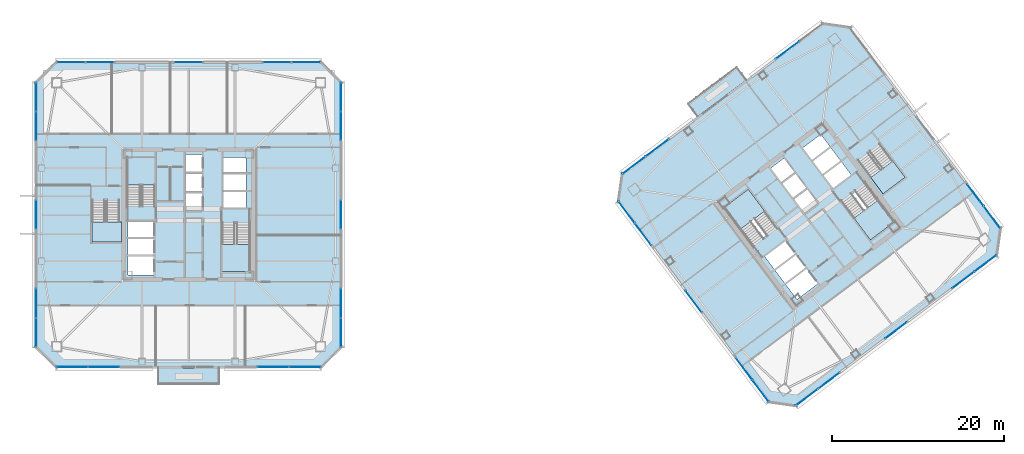
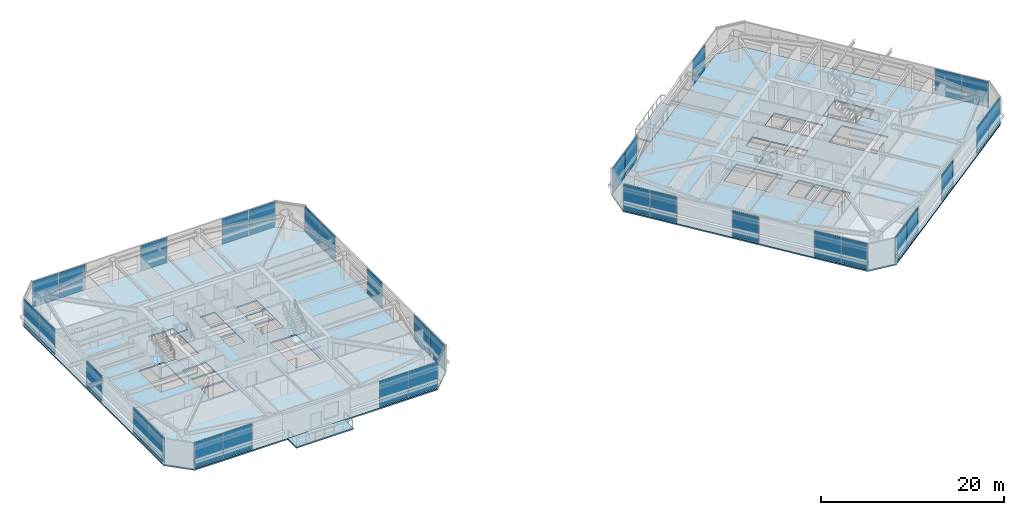
# One storey, part 32 of 44: 34 plates, 10 slabs, 26 elements without a shape of their own.
"""IFC4 building model written with IfcOpenShell, lengths in metres."""

from ifc_helpers import new_model, si_unit, direction, frame, origin, origin_2d, place, context, subcontext, project, spatial, polyline, rectangle, outline, extrude, material, layer, layer_set, type_object, element, aggregate, save


model = new_model("IFC4")

# Units and contexts
model_context = context("Model", 3, precision=1e-05, world=origin(), true_north=direction((0.0, 1.0)))
body_context = subcontext(model_context, "Body", "Model", "MODEL_VIEW")
ifc_project = project(units=[si_unit("LENGTHUNIT", "METRE"), si_unit("AREAUNIT", "SQUARE_METRE"), si_unit("VOLUMEUNIT", "CUBIC_METRE"), si_unit("PLANEANGLEUNIT", "RADIAN"), si_unit("MASSUNIT", "GRAM", prefix="KILO")], contexts=[model_context])

# Site, building, storey
site_placement = place(None, origin())
site = spatial("IfcSite", under=ifc_project, at=site_placement, CompositionType="ELEMENT")
building_placement = place(site_placement, origin())
building = spatial("IfcBuilding", under=site, at=building_placement, Name="Tashvorn Skyway Center", CompositionType="ELEMENT")
storey_placement = place(building_placement, frame((0.0, 0.0, 181.85009765625)))
storey = spatial("IfcBuildingStorey", under=building, at=storey_placement, Name="L49", CompositionType="ELEMENT", Elevation=181.85009765625)

# Curtain wall, plates
ifc_material_1 = material(Name="Thermally broken bronze-anodized aluminium 6063-T6", Category="aluminium")
curtain_wall_type = type_object("IfcCurtainWallType", Name="CW-CW-Z4", PredefinedType="NOTDEFINED", material=ifc_material_1)
curtain_wall_1_placement = place(storey_placement, origin())
curtain_wall_1 = element("IfcCurtainWall", 1, at=curtain_wall_1_placement, inside=storey, type_object=curtain_wall_type, Name="Tower 1 L49 South Curtain Wall L Glazing Group 1", PredefinedType="NOTDEFINED")
ifc_material_2 = material(Name="Low-E solar-control double insulating safety glass", Category="glass")
ifc_layer_1 = layer(ifc_material_2, 0.035888671875)
ifc_layer_set_1 = layer_set([ifc_layer_1], Name="Low-E solar-control double insulating safety glass")
plate_type = type_object("IfcPlateType", Name="CWP-CW-Z4", PredefinedType="CURTAIN_PANEL", material=ifc_layer_set_1)
plate_1_placement = place(storey_placement, frame((55.507568359375, 14.320068359375, 0.06982421875), z_axis=(0.0, 0.0, 1.0), x_axis=(-1.0, 0.0, 0.0)))
plate_1 = element("IfcPlate", 2, at=plate_1_placement, type_object=plate_type, Name="CW-Z4 panel 1.1", PredefinedType="CURTAIN_PANEL", context=body_context, shape_type="SweptSolid", body=[
    extrude(rectangle(XDim=3.60498046875, YDim=0.035888671875, at=origin_2d()), origin(), (0.0, 0.0, 1.0), 3.409912109375),
])
plate_2_placement = place(storey_placement, frame((51.83251953125, 14.320068359375, 0.06982421875), z_axis=(0.0, 0.0, 1.0), x_axis=(-1.0, 0.0, 0.0)))
plate_2 = element("IfcPlate", 3, at=plate_2_placement, type_object=plate_type, Name="CW-Z4 panel 2.1", PredefinedType="CURTAIN_PANEL", context=body_context, shape_type="SweptSolid", body=[
    extrude(rectangle(XDim=3.60498046875, YDim=0.035888671875, at=origin_2d()), origin(), (0.0, 0.0, 1.0), 3.409912109375),
])
aggregate(curtain_wall_1, [plate_1, plate_2])

curtain_wall_2_placement = place(storey_placement, origin())
curtain_wall_2 = element("IfcCurtainWall", 4, at=curtain_wall_2_placement, inside=storey, type_object=curtain_wall_type, Name="Tower 1 L49 South Curtain Wall R Glazing Group 1", PredefinedType="NOTDEFINED")
plate_3_placement = place(storey_placement, frame((32.16748046875, 14.320068359375, 0.06982421875), z_axis=(0.0, 0.0, 1.0), x_axis=(-1.0, 0.0, 0.0)))
plate_3 = element("IfcPlate", 5, at=plate_3_placement, type_object=plate_type, Name="CW-Z4 panel 1.1", PredefinedType="CURTAIN_PANEL", context=body_context, shape_type="SweptSolid", body=[
    extrude(rectangle(XDim=3.60498046875, YDim=0.035888671875, at=origin_2d()), origin(), (0.0, 0.0, 1.0), 3.409912109375),
])
plate_4_placement = place(storey_placement, frame((28.492431640625, 14.320068359375, 0.06982421875), z_axis=(0.0, 0.0, 1.0), x_axis=(-1.0, 0.0, 0.0)))
plate_4 = element("IfcPlate", 6, at=plate_4_placement, type_object=plate_type, Name="CW-Z4 panel 2.1", PredefinedType="CURTAIN_PANEL", context=body_context, shape_type="SweptSolid", body=[
    extrude(rectangle(XDim=3.60498046875, YDim=0.035888671875, at=origin_2d()), origin(), (0.0, 0.0, 1.0), 3.409912109375),
])
aggregate(curtain_wall_2, [plate_3, plate_4])

curtain_wall_3_placement = place(storey_placement, origin())
curtain_wall_3 = element("IfcCurtainWall", 7, at=curtain_wall_3_placement, inside=storey, type_object=curtain_wall_type, Name="Tower 1 L49 West Unitised Curtain Wall Glazing Group 1", PredefinedType="NOTDEFINED")
plate_5_placement = place(storey_placement, frame((24.320068359375, 18.346435546875, 0.06982421875), z_axis=(0.0, 0.0, 1.0), x_axis=(0.0, 1.0, 0.0)))
plate_5 = element("IfcPlate", 8, at=plate_5_placement, type_object=plate_type, Name="CW-Z4 panel 1.1", PredefinedType="CURTAIN_PANEL", context=body_context, shape_type="SweptSolid", body=[
    extrude(rectangle(XDim=3.312744140625, YDim=0.035888671875, at=origin_2d()), origin(), (0.0, 0.0, 1.0), 3.409912109375),
])
plate_6_placement = place(storey_placement, frame((24.320068359375, 21.729248046875, 0.06982421875), z_axis=(0.0, 0.0, 1.0), x_axis=(0.0, 1.0, 0.0)))
plate_6 = element("IfcPlate", 9, at=plate_6_placement, type_object=plate_type, Name="CW-Z4 panel 2.1", PredefinedType="CURTAIN_PANEL", context=body_context, shape_type="SweptSolid", body=[
    extrude(rectangle(XDim=3.312744140625, YDim=0.035888671875, at=origin_2d()), origin(), (0.0, 0.0, 1.0), 3.409912109375),
])
aggregate(curtain_wall_3, [plate_5, plate_6])

# Curtain wall, plate
curtain_wall_4_placement = place(storey_placement, origin())
curtain_wall_4 = element("IfcCurtainWall", 10, at=curtain_wall_4_placement, inside=storey, type_object=curtain_wall_type, Name="Tower 1 L49 West Unitised Curtain Wall Glazing Group 2", PredefinedType="NOTDEFINED")
plate_7_placement = place(storey_placement, frame((24.320068359375, 32.0, 0.06982421875), z_axis=(0.0, 0.0, 1.0), x_axis=(0.0, 1.0, 0.0)))
plate_7 = element("IfcPlate", 11, at=plate_7_placement, type_object=plate_type, Name="CW-Z4 panel 1.1", PredefinedType="CURTAIN_PANEL", context=body_context, shape_type="SweptSolid", body=[
    extrude(rectangle(XDim=3.27783203125, YDim=0.035888671875, at=origin_2d()), origin(), (0.0, 0.0, 1.0), 3.409912109375),
])
aggregate(curtain_wall_4, [plate_7])

# Curtain wall, plates
curtain_wall_5_placement = place(storey_placement, origin())
curtain_wall_5 = element("IfcCurtainWall", 12, at=curtain_wall_5_placement, inside=storey, type_object=curtain_wall_type, Name="Tower 1 L49 West Unitised Curtain Wall Glazing Group 3", PredefinedType="NOTDEFINED")
plate_8_placement = place(storey_placement, frame((24.320068359375, 42.270751953125, 0.06982421875), z_axis=(0.0, 0.0, 1.0), x_axis=(0.0, 1.0, 0.0)))
plate_8 = element("IfcPlate", 13, at=plate_8_placement, type_object=plate_type, Name="CW-Z4 panel 1.1", PredefinedType="CURTAIN_PANEL", context=body_context, shape_type="SweptSolid", body=[
    extrude(rectangle(XDim=3.312744140625, YDim=0.035888671875, at=origin_2d()), origin(), (0.0, 0.0, 1.0), 3.409912109375),
])
plate_9_placement = place(storey_placement, frame((24.320068359375, 45.653564453125, 0.06982421875), z_axis=(0.0, 0.0, 1.0), x_axis=(0.0, 1.0, 0.0)))
plate_9 = element("IfcPlate", 14, at=plate_9_placement, type_object=plate_type, Name="CW-Z4 panel 2.1", PredefinedType="CURTAIN_PANEL", context=body_context, shape_type="SweptSolid", body=[
    extrude(rectangle(XDim=3.312744140625, YDim=0.035888671875, at=origin_2d()), origin(), (0.0, 0.0, 1.0), 3.409912109375),
])
aggregate(curtain_wall_5, [plate_8, plate_9])

curtain_wall_6_placement = place(storey_placement, origin())
curtain_wall_6 = element("IfcCurtainWall", 15, at=curtain_wall_6_placement, inside=storey, type_object=curtain_wall_type, Name="Tower 1 L49 North Unitised Curtain Wall Glazing Group 1", PredefinedType="NOTDEFINED")
plate_10_placement = place(storey_placement, frame((28.346435546875, 49.679931640625, 0.06982421875), z_axis=(0.0, 0.0, 1.0), x_axis=(1.0, 0.0, 0.0)))
plate_10 = element("IfcPlate", 16, at=plate_10_placement, type_object=plate_type, Name="CW-Z4 panel 1.1", PredefinedType="CURTAIN_PANEL", context=body_context, shape_type="SweptSolid", body=[
    extrude(rectangle(XDim=3.312744140625, YDim=0.035888671875, at=origin_2d()), origin(), (0.0, 0.0, 1.0), 3.409912109375),
])
plate_11_placement = place(storey_placement, frame((31.729248046875, 49.679931640625, 0.06982421875), z_axis=(0.0, 0.0, 1.0), x_axis=(1.0, 0.0, 0.0)))
plate_11 = element("IfcPlate", 17, at=plate_11_placement, type_object=plate_type, Name="CW-Z4 panel 2.1", PredefinedType="CURTAIN_PANEL", context=body_context, shape_type="SweptSolid", body=[
    extrude(rectangle(XDim=3.312744140625, YDim=0.035888671875, at=origin_2d()), origin(), (0.0, 0.0, 1.0), 3.409912109375),
])
aggregate(curtain_wall_6, [plate_10, plate_11])

# Curtain wall, plate
curtain_wall_7_placement = place(storey_placement, origin())
curtain_wall_7 = element("IfcCurtainWall", 18, at=curtain_wall_7_placement, inside=storey, type_object=curtain_wall_type, Name="Tower 1 L49 North Unitised Curtain Wall Glazing Group 2", PredefinedType="NOTDEFINED")
plate_12_placement = place(storey_placement, frame((42.0, 49.679931640625, 0.06982421875), z_axis=(0.0, 0.0, 1.0), x_axis=(1.0, 0.0, 0.0)))
plate_12 = element("IfcPlate", 19, at=plate_12_placement, type_object=plate_type, Name="CW-Z4 panel 1.1", PredefinedType="CURTAIN_PANEL", context=body_context, shape_type="SweptSolid", body=[
    extrude(rectangle(XDim=3.27783203125, YDim=0.035888671875, at=origin_2d()), origin(), (0.0, 0.0, 1.0), 3.409912109375),
])
aggregate(curtain_wall_7, [plate_12])

# Curtain wall, plates
curtain_wall_8_placement = place(storey_placement, origin())
curtain_wall_8 = element("IfcCurtainWall", 20, at=curtain_wall_8_placement, inside=storey, type_object=curtain_wall_type, Name="Tower 1 L49 North Unitised Curtain Wall Glazing Group 3", PredefinedType="NOTDEFINED")
plate_13_placement = place(storey_placement, frame((52.270751953125, 49.679931640625, 0.06982421875), z_axis=(0.0, 0.0, 1.0), x_axis=(1.0, 0.0, 0.0)))
plate_13 = element("IfcPlate", 21, at=plate_13_placement, type_object=plate_type, Name="CW-Z4 panel 1.1", PredefinedType="CURTAIN_PANEL", context=body_context, shape_type="SweptSolid", body=[
    extrude(rectangle(XDim=3.312744140625, YDim=0.035888671875, at=origin_2d()), origin(), (0.0, 0.0, 1.0), 3.409912109375),
])
plate_14_placement = place(storey_placement, frame((55.653564453125, 49.679931640625, 0.06982421875), z_axis=(0.0, 0.0, 1.0), x_axis=(1.0, 0.0, 0.0)))
plate_14 = element("IfcPlate", 22, at=plate_14_placement, type_object=plate_type, Name="CW-Z4 panel 2.1", PredefinedType="CURTAIN_PANEL", context=body_context, shape_type="SweptSolid", body=[
    extrude(rectangle(XDim=3.312744140625, YDim=0.035888671875, at=origin_2d()), origin(), (0.0, 0.0, 1.0), 3.409912109375),
])
aggregate(curtain_wall_8, [plate_13, plate_14])

curtain_wall_9_placement = place(storey_placement, origin())
curtain_wall_9 = element("IfcCurtainWall", 23, at=curtain_wall_9_placement, inside=storey, type_object=curtain_wall_type, Name="Tower 1 L49 East Unitised Curtain Wall Glazing Group 1", PredefinedType="NOTDEFINED")
plate_15_placement = place(storey_placement, frame((59.679931640625, 45.653564453125, 0.06982421875), z_axis=(0.0, 0.0, 1.0), x_axis=(0.0, -1.0, 0.0)))
plate_15 = element("IfcPlate", 24, at=plate_15_placement, type_object=plate_type, Name="CW-Z4 panel 1.1", PredefinedType="CURTAIN_PANEL", context=body_context, shape_type="SweptSolid", body=[
    extrude(rectangle(XDim=3.312744140625, YDim=0.035888671875, at=origin_2d()), origin(), (0.0, 0.0, 1.0), 3.409912109375),
])
plate_16_placement = place(storey_placement, frame((59.679931640625, 42.270751953125, 0.06982421875), z_axis=(0.0, 0.0, 1.0), x_axis=(0.0, -1.0, 0.0)))
plate_16 = element("IfcPlate", 25, at=plate_16_placement, type_object=plate_type, Name="CW-Z4 panel 2.1", PredefinedType="CURTAIN_PANEL", context=body_context, shape_type="SweptSolid", body=[
    extrude(rectangle(XDim=3.312744140625, YDim=0.035888671875, at=origin_2d()), origin(), (0.0, 0.0, 1.0), 3.409912109375),
])
aggregate(curtain_wall_9, [plate_15, plate_16])

# Curtain wall, plate
curtain_wall_10_placement = place(storey_placement, origin())
curtain_wall_10 = element("IfcCurtainWall", 26, at=curtain_wall_10_placement, inside=storey, type_object=curtain_wall_type, Name="Tower 1 L49 East Unitised Curtain Wall Glazing Group 2", PredefinedType="NOTDEFINED")
plate_17_placement = place(storey_placement, frame((59.679931640625, 32.0, 0.06982421875), z_axis=(0.0, 0.0, 1.0), x_axis=(0.0, -1.0, 0.0)))
plate_17 = element("IfcPlate", 27, at=plate_17_placement, type_object=plate_type, Name="CW-Z4 panel 1.1", PredefinedType="CURTAIN_PANEL", context=body_context, shape_type="SweptSolid", body=[
    extrude(rectangle(XDim=3.27783203125, YDim=0.035888671875, at=origin_2d()), origin(), (0.0, 0.0, 1.0), 3.409912109375),
])
aggregate(curtain_wall_10, [plate_17])

# Curtain wall, plates
curtain_wall_11_placement = place(storey_placement, origin())
curtain_wall_11 = element("IfcCurtainWall", 28, at=curtain_wall_11_placement, inside=storey, type_object=curtain_wall_type, Name="Tower 1 L49 East Unitised Curtain Wall Glazing Group 3", PredefinedType="NOTDEFINED")
plate_18_placement = place(storey_placement, frame((59.679931640625, 21.729248046875, 0.06982421875), z_axis=(0.0, 0.0, 1.0), x_axis=(0.0, -1.0, 0.0)))
plate_18 = element("IfcPlate", 29, at=plate_18_placement, type_object=plate_type, Name="CW-Z4 panel 1.1", PredefinedType="CURTAIN_PANEL", context=body_context, shape_type="SweptSolid", body=[
    extrude(rectangle(XDim=3.312744140625, YDim=0.035888671875, at=origin_2d()), origin(), (0.0, 0.0, 1.0), 3.409912109375),
])
plate_19_placement = place(storey_placement, frame((59.679931640625, 18.346435546875, 0.06982421875), z_axis=(0.0, 0.0, 1.0), x_axis=(0.0, -1.0, 0.0)))
plate_19 = element("IfcPlate", 30, at=plate_19_placement, type_object=plate_type, Name="CW-Z4 panel 2.1", PredefinedType="CURTAIN_PANEL", context=body_context, shape_type="SweptSolid", body=[
    extrude(rectangle(XDim=3.312744140625, YDim=0.035888671875, at=origin_2d()), origin(), (0.0, 0.0, 1.0), 3.409912109375),
])
aggregate(curtain_wall_11, [plate_18, plate_19])

curtain_wall_12_placement = place(storey_placement, origin())
curtain_wall_12 = element("IfcCurtainWall", 31, at=curtain_wall_12_placement, inside=storey, type_object=curtain_wall_type, Name="Tower 2 L49 South Unitised Curtain Wall Glazing Group 1", PredefinedType="NOTDEFINED")
plate_20_placement = place(storey_placement, frame((134.422119140625, 26.341552734375, 0.06982421875), z_axis=(0.0, 0.0, 1.0), x_axis=(-0.799999999998, -0.600000000002, 0.0)))
plate_20 = element("IfcPlate", 32, at=plate_20_placement, type_object=plate_type, Name="CW-Z4 panel 1.1", PredefinedType="CURTAIN_PANEL", context=body_context, shape_type="SweptSolid", body=[
    extrude(rectangle(XDim=3.135009765625, YDim=0.035888671875, at=origin_2d()), origin(), (0.0, 0.0, 1.0), 3.409912109375),
])
plate_21_placement = place(storey_placement, frame((131.85791015625, 24.41845703125, 0.06982421875), z_axis=(0.0, 0.0, 1.0), x_axis=(-0.799999999998, -0.600000000002, 0.0)))
plate_21 = element("IfcPlate", 33, at=plate_21_placement, type_object=plate_type, Name="CW-Z4 panel 2.1", PredefinedType="CURTAIN_PANEL", context=body_context, shape_type="SweptSolid", body=[
    extrude(rectangle(XDim=3.135009765625, YDim=0.035888671875, at=origin_2d()), origin(), (0.0, 0.0, 1.0), 3.409912109375),
])
aggregate(curtain_wall_12, [plate_20, plate_21])

# Curtain wall, plate
curtain_wall_13_placement = place(storey_placement, origin())
curtain_wall_13 = element("IfcCurtainWall", 34, at=curtain_wall_13_placement, inside=storey, type_object=curtain_wall_type, Name="Tower 2 L49 South Unitised Curtain Wall Glazing Group 2", PredefinedType="NOTDEFINED")
plate_22_placement = place(storey_placement, frame((124.068115234375, 18.575927734375, 0.06982421875), z_axis=(0.0, 0.0, 1.0), x_axis=(-0.799999999998, -0.600000000002, 0.0)))
plate_22 = element("IfcPlate", 35, at=plate_22_placement, type_object=plate_type, Name="CW-Z4 panel 1.1", PredefinedType="CURTAIN_PANEL", context=body_context, shape_type="SweptSolid", body=[
    extrude(rectangle(XDim=3.10009765625, YDim=0.035888671875, at=origin_2d()), origin(), (0.0, 0.0, 1.0), 3.409912109375),
])
aggregate(curtain_wall_13, [plate_22])

# Curtain wall, plates
curtain_wall_14_placement = place(storey_placement, origin())
curtain_wall_14 = element("IfcCurtainWall", 36, at=curtain_wall_14_placement, inside=storey, type_object=curtain_wall_type, Name="Tower 2 L49 South Unitised Curtain Wall Glazing Group 3", PredefinedType="NOTDEFINED")
plate_23_placement = place(storey_placement, frame((116.278076171875, 12.7333984375, 0.06982421875), z_axis=(0.0, 0.0, 1.0), x_axis=(-0.799999999998, -0.600000000002, 0.0)))
plate_23 = element("IfcPlate", 37, at=plate_23_placement, type_object=plate_type, Name="CW-Z4 panel 1.1", PredefinedType="CURTAIN_PANEL", context=body_context, shape_type="SweptSolid", body=[
    extrude(rectangle(XDim=3.135009765625, YDim=0.035888671875, at=origin_2d()), origin(), (0.0, 0.0, 1.0), 3.409912109375),
])
plate_24_placement = place(storey_placement, frame((113.714111328125, 10.810546875, 0.06982421875), z_axis=(0.0, 0.0, 1.0), x_axis=(-0.799999999998, -0.600000000002, 0.0)))
plate_24 = element("IfcPlate", 38, at=plate_24_placement, type_object=plate_type, Name="CW-Z4 panel 2.1", PredefinedType="CURTAIN_PANEL", context=body_context, shape_type="SweptSolid", body=[
    extrude(rectangle(XDim=3.135009765625, YDim=0.035888671875, at=origin_2d()), origin(), (0.0, 0.0, 1.0), 3.409912109375),
])
aggregate(curtain_wall_14, [plate_23, plate_24])

curtain_wall_15_placement = place(storey_placement, origin())
curtain_wall_15 = element("IfcCurtainWall", 39, at=curtain_wall_15_placement, inside=storey, type_object=curtain_wall_type, Name="Tower 2 L49 West Unitised Curtain Wall Glazing Group 1", PredefinedType="NOTDEFINED")
plate_25_placement = place(storey_placement, frame((108.341552734375, 11.577880859375, 0.06982421875), z_axis=(0.0, 0.0, 1.0), x_axis=(-0.600000000002, 0.799999999998, 0.0)))
plate_25 = element("IfcPlate", 40, at=plate_25_placement, type_object=plate_type, Name="CW-Z4 panel 1.1", PredefinedType="CURTAIN_PANEL", context=body_context, shape_type="SweptSolid", body=[
    extrude(rectangle(XDim=3.135009765625, YDim=0.035888671875, at=origin_2d()), origin(), (0.0, 0.0, 1.0), 3.409912109375),
])
plate_26_placement = place(storey_placement, frame((106.41845703125, 14.14208984375, 0.06982421875), z_axis=(0.0, 0.0, 1.0), x_axis=(-0.600000000002, 0.799999999998, 0.0)))
plate_26 = element("IfcPlate", 41, at=plate_26_placement, type_object=plate_type, Name="CW-Z4 panel 2.1", PredefinedType="CURTAIN_PANEL", context=body_context, shape_type="SweptSolid", body=[
    extrude(rectangle(XDim=3.135009765625, YDim=0.035888671875, at=origin_2d()), origin(), (0.0, 0.0, 1.0), 3.409912109375),
])
aggregate(curtain_wall_15, [plate_25, plate_26])

# Curtain wall, plate
curtain_wall_16_placement = place(storey_placement, origin())
curtain_wall_16 = element("IfcCurtainWall", 42, at=curtain_wall_16_placement, inside=storey, type_object=curtain_wall_type, Name="Tower 2 L49 West Unitised Curtain Wall Glazing Group 2", PredefinedType="NOTDEFINED")
plate_27_placement = place(storey_placement, frame((100.575927734375, 21.931884765625, 0.06982421875), z_axis=(0.0, 0.0, 1.0), x_axis=(-0.600000000002, 0.799999999998, 0.0)))
plate_27 = element("IfcPlate", 43, at=plate_27_placement, type_object=plate_type, Name="CW-Z4 panel 1.1", PredefinedType="CURTAIN_PANEL", context=body_context, shape_type="SweptSolid", body=[
    extrude(rectangle(XDim=3.10009765625, YDim=0.035888671875, at=origin_2d()), origin(), (0.0, 0.0, 1.0), 3.409912109375),
])
aggregate(curtain_wall_16, [plate_27])

# Curtain wall, plates
curtain_wall_17_placement = place(storey_placement, origin())
curtain_wall_17 = element("IfcCurtainWall", 44, at=curtain_wall_17_placement, inside=storey, type_object=curtain_wall_type, Name="Tower 2 L49 West Unitised Curtain Wall Glazing Group 3", PredefinedType="NOTDEFINED")
plate_28_placement = place(storey_placement, frame((94.7333984375, 29.721923828125, 0.06982421875), z_axis=(0.0, 0.0, 1.0), x_axis=(-0.600000000002, 0.799999999998, 0.0)))
plate_28 = element("IfcPlate", 45, at=plate_28_placement, type_object=plate_type, Name="CW-Z4 panel 1.1", PredefinedType="CURTAIN_PANEL", context=body_context, shape_type="SweptSolid", body=[
    extrude(rectangle(XDim=3.135009765625, YDim=0.035888671875, at=origin_2d()), origin(), (0.0, 0.0, 1.0), 3.409912109375),
])
plate_29_placement = place(storey_placement, frame((92.810546875, 32.285888671875, 0.06982421875), z_axis=(0.0, 0.0, 1.0), x_axis=(-0.600000000002, 0.799999999998, 0.0)))
plate_29 = element("IfcPlate", 46, at=plate_29_placement, type_object=plate_type, Name="CW-Z4 panel 2.1", PredefinedType="CURTAIN_PANEL", context=body_context, shape_type="SweptSolid", body=[
    extrude(rectangle(XDim=3.135009765625, YDim=0.035888671875, at=origin_2d()), origin(), (0.0, 0.0, 1.0), 3.409912109375),
])
aggregate(curtain_wall_17, [plate_28, plate_29])

curtain_wall_18_placement = place(storey_placement, origin())
curtain_wall_18 = element("IfcCurtainWall", 47, at=curtain_wall_18_placement, inside=storey, type_object=curtain_wall_type, Name="Tower 2 L49 North Curtain Wall L Glazing Group 1", PredefinedType="NOTDEFINED")
plate_30_placement = place(storey_placement, frame((93.659423828125, 37.719482421875, 0.06982421875), z_axis=(0.0, 0.0, 1.0), x_axis=(0.79999825749, 0.60000232334, 0.0)))
plate_30 = element("IfcPlate", 48, at=plate_30_placement, type_object=plate_type, Name="CW-Z4 panel 1.1", PredefinedType="CURTAIN_PANEL", context=body_context, shape_type="SweptSolid", body=[
    extrude(rectangle(XDim=3.33837890625, YDim=0.035888671875, at=origin_2d()), origin(), (0.0, 0.0, 1.0), 3.409912109375),
])
plate_31_placement = place(storey_placement, frame((96.385986328125, 39.764404296875, 0.06982421875), z_axis=(0.0, 0.0, 1.0), x_axis=(0.79999825749, 0.60000232334, 0.0)))
plate_31 = element("IfcPlate", 49, at=plate_31_placement, type_object=plate_type, Name="CW-Z4 panel 2.1", PredefinedType="CURTAIN_PANEL", context=body_context, shape_type="SweptSolid", body=[
    extrude(rectangle(XDim=3.33837890625, YDim=0.035888671875, at=origin_2d()), origin(), (0.0, 0.0, 1.0), 3.409912109375),
])
aggregate(curtain_wall_18, [plate_30, plate_31])

# Curtain wall, plate
curtain_wall_19_placement = place(storey_placement, origin())
curtain_wall_19 = element("IfcCurtainWall", 50, at=curtain_wall_19_placement, inside=storey, type_object=curtain_wall_type, Name="Tower 2 L49 North Curtain Wall R Glazing Group 1", PredefinedType="NOTDEFINED")
plate_32_placement = place(storey_placement, frame((111.47802734375, 51.08349609375, 0.06982421875), z_axis=(0.0, 0.0, 1.0), x_axis=(0.79999825749, 0.60000232334, 0.0)))
plate_32 = element("IfcPlate", 51, at=plate_32_placement, type_object=plate_type, Name="CW-Z4 panel 1.1", PredefinedType="CURTAIN_PANEL", context=body_context, shape_type="SweptSolid", body=[
    extrude(rectangle(XDim=3.33837890625, YDim=0.035888671875, at=origin_2d()), origin(), (0.0, 0.0, 1.0), 3.409912109375),
])
aggregate(curtain_wall_19, [plate_32])

# Curtain wall, plates
curtain_wall_20_placement = place(storey_placement, origin())
curtain_wall_20 = element("IfcCurtainWall", 52, at=curtain_wall_20_placement, inside=storey, type_object=curtain_wall_type, Name="Tower 2 L49 East Unitised Curtain Wall Glazing Group 3", PredefinedType="NOTDEFINED")
plate_33_placement = place(storey_placement, frame((133.2666015625, 34.278076171875, 0.06982421875), z_axis=(0.0, 0.0, 1.0), x_axis=(0.600000000002, -0.799999999998, 0.0)))
plate_33 = element("IfcPlate", 53, at=plate_33_placement, type_object=plate_type, Name="CW-Z4 panel 1.1", PredefinedType="CURTAIN_PANEL", context=body_context, shape_type="SweptSolid", body=[
    extrude(rectangle(XDim=3.135009765625, YDim=0.035888671875, at=origin_2d()), origin(), (0.0, 0.0, 1.0), 3.409912109375),
])
plate_34_placement = place(storey_placement, frame((135.189453125, 31.714111328125, 0.06982421875), z_axis=(0.0, 0.0, 1.0), x_axis=(0.600000000002, -0.799999999998, 0.0)))
plate_34 = element("IfcPlate", 54, at=plate_34_placement, type_object=plate_type, Name="CW-Z4 panel 2.1", PredefinedType="CURTAIN_PANEL", context=body_context, shape_type="SweptSolid", body=[
    extrude(rectangle(XDim=3.135009765625, YDim=0.035888671875, at=origin_2d()), origin(), (0.0, 0.0, 1.0), 3.409912109375),
])
aggregate(curtain_wall_20, [plate_33, plate_34])

# Slabs
ifc_material_3 = material(Name="Concrete C40/50", Category="concrete")
ifc_layer_2 = layer(ifc_material_3, 0.179931640625)
ifc_layer_set_2 = layer_set([ifc_layer_2], Name="Concrete C40/50")
slab_type_1 = type_object("IfcSlabType", Name="SLAB-FLR-180", PredefinedType="FLOOR", material=ifc_layer_set_2)
slab_1_placement = place(storey_placement, frame((0.0, 0.0, -0.18017578125)))
element("IfcSlab", 55, at=slab_1_placement, inside=storey, type_object=slab_type_1, Name="Tower 1 L49 Composite Floor Slab", PredefinedType="FLOOR", context=body_context, shape_type="SweptSolid", body=[
    extrude(outline(polyline([(26.699951171875, 14.199951171875), (57.300048828125, 14.199951171875), (59.800048828125, 16.699951171875), (59.800048828125, 47.300048828125), (57.300048828125, 49.800048828125), (26.699951171875, 49.800048828125), (24.199951171875, 47.300048828125), (24.199951171875, 16.699951171875), (26.699951171875, 14.199951171875)]), holes=[polyline([(38.10009765625, 33.080078125), (38.10009765625, 38.60009765625), (34.89990234375, 38.60009765625), (34.89990234375, 33.080078125), (38.10009765625, 33.080078125)]), polyline([(45.89990234375, 30.919921875), (45.89990234375, 25.39990234375), (49.10009765625, 25.39990234375), (49.10009765625, 30.919921875), (45.89990234375, 30.919921875)]), polyline([(30.800048828125, 33.52001953125), (30.800048828125, 28.800048828125), (34.0, 28.800048828125), (34.0, 33.52001953125), (30.800048828125, 33.52001953125)]), polyline([(34.949951171875, 29.35009765625), (37.949951171875, 29.35009765625), (37.949951171875, 31.199951171875), (34.949951171875, 31.199951171875), (34.949951171875, 29.35009765625)]), polyline([(34.949951171875, 27.35009765625), (37.949951171875, 27.35009765625), (37.949951171875, 29.199951171875), (34.949951171875, 29.199951171875), (34.949951171875, 27.35009765625)]), polyline([(34.949951171875, 25.0), (37.949951171875, 25.0), (37.949951171875, 27.14990234375), (34.949951171875, 27.14990234375), (34.949951171875, 25.0)]), polyline([(41.64990234375, 32.449951171875), (43.550048828125, 32.449951171875), (43.550048828125, 34.5), (41.64990234375, 34.5), (41.64990234375, 32.449951171875)]), polyline([(41.64990234375, 34.699951171875), (43.550048828125, 34.699951171875), (43.550048828125, 36.75), (41.64990234375, 36.75), (41.64990234375, 34.699951171875)]), polyline([(41.64990234375, 36.949951171875), (43.550048828125, 36.949951171875), (43.550048828125, 39.0), (41.64990234375, 39.0), (41.64990234375, 36.949951171875)]), polyline([(46.050048828125, 32.800048828125), (48.64990234375, 32.800048828125), (48.64990234375, 34.64990234375), (46.050048828125, 34.64990234375), (46.050048828125, 32.800048828125)]), polyline([(46.050048828125, 34.85009765625), (48.64990234375, 34.85009765625), (48.64990234375, 36.699951171875), (46.050048828125, 36.699951171875), (46.050048828125, 34.85009765625)]), polyline([(46.050048828125, 36.89990234375), (48.64990234375, 36.89990234375), (48.64990234375, 38.64990234375), (46.050048828125, 38.64990234375), (46.050048828125, 36.89990234375)])]), origin(), (0.0, 0.0, 1.0), 0.18017578125),
])
slab_2_placement = place(storey_placement, frame((0.0, 0.0, -0.18017578125)))
element("IfcSlab", 56, at=slab_2_placement, inside=storey, type_object=slab_type_1, Name="Tower 2 L49 Composite Floor Slab", PredefinedType="FLOOR", context=body_context, shape_type="SweptSolid", body=[
    extrude(outline(polyline([(112.5400390625, 9.780029296875), (135.739990234375, 27.179931640625), (136.219970703125, 30.5400390625), (118.820068359375, 53.739990234375), (115.4599609375, 54.219970703125), (92.260009765625, 36.820068359375), (91.780029296875, 33.4599609375), (109.179931640625, 10.260009765625), (112.5400390625, 9.780029296875)]), holes=[polyline([(110.23193359375, 30.52392578125), (106.919921875, 34.93994140625), (104.135986328125, 32.85205078125), (107.447998046875, 28.43603515625), (110.23193359375, 30.52392578125)]), polyline([(117.76806640625, 33.47607421875), (121.080078125, 29.06005859375), (123.864013671875, 31.14794921875), (120.552001953125, 35.56396484375), (117.76806640625, 33.47607421875)]), polyline([(119.7119140625, 38.18408203125), (122.5439453125, 34.407958984375), (125.10400390625, 36.327880859375), (122.27197265625, 40.10400390625), (119.7119140625, 38.18408203125)]), polyline([(109.949951171875, 25.64990234375), (112.35009765625, 27.449951171875), (111.239990234375, 28.929931640625), (108.840087890625, 27.1298828125), (109.949951171875, 25.64990234375)]), polyline([(111.14990234375, 24.050048828125), (113.550048828125, 25.85009765625), (112.43994140625, 27.330078125), (110.0400390625, 25.530029296875), (111.14990234375, 24.050048828125)]), polyline([(112.56005859375, 22.169921875), (114.9599609375, 23.969970703125), (113.669921875, 25.68994140625), (111.27001953125, 23.889892578125), (112.56005859375, 22.169921875)]), polyline([(113.449951171875, 32.14990234375), (114.969970703125, 33.2900390625), (113.739990234375, 34.929931640625), (112.219970703125, 33.7900390625), (113.449951171875, 32.14990234375)]), polyline([(112.10009765625, 33.949951171875), (113.6201171875, 35.090087890625), (112.389892578125, 36.72998046875), (110.8701171875, 35.590087890625), (112.10009765625, 33.949951171875)]), polyline([(110.75, 35.75), (112.27001953125, 36.889892578125), (111.0400390625, 38.530029296875), (109.52001953125, 37.389892578125), (110.75, 35.75)]), polyline([(116.760009765625, 35.070068359375), (118.840087890625, 36.6298828125), (117.72998046875, 38.110107421875), (115.64990234375, 36.550048828125), (116.760009765625, 35.070068359375)]), polyline([(115.530029296875, 36.7099609375), (117.610107421875, 38.27001953125), (116.5, 39.75), (114.419921875, 38.18994140625), (115.530029296875, 36.7099609375)]), polyline([(114.300048828125, 38.35009765625), (116.3798828125, 39.909912109375), (115.330078125, 41.31005859375), (113.25, 39.75), (114.300048828125, 38.35009765625)])]), origin(), (0.0, 0.0, 1.0), 0.18017578125),
])

# Stair, slab
stair_type = type_object("IfcStairType", Name="STAIR-CORE-1500", PredefinedType="HALF_TURN_STAIR", material=ifc_material_3)
stair_1_placement = place(storey_placement, origin())
stair_1 = element("IfcStair", 57, at=stair_1_placement, inside=storey, type_object=stair_type, Name="L49 Tower 1 Exit Stair 1", PredefinedType="HALF_TURN_STAIR")
ifc_layer_3 = layer(ifc_material_3, 0.199951171875)
ifc_layer_set_3 = layer_set([ifc_layer_3], Name="Concrete C40/50")
slab_type_2 = type_object("IfcSlabType", Name="SLAB-LAND-200", PredefinedType="LANDING", material=ifc_layer_set_3)
slab_3_placement = place(storey_placement, frame((0.0, 0.0, 1.574951171875)))
slab_3 = element("IfcSlab", 58, at=slab_3_placement, type_object=slab_type_2, Name="ST-T1-1 landing 1", PredefinedType="LANDING", context=body_context, shape_type="SweptSolid", body=[
    extrude(outline(polyline([(38.10009765625, 35.43994140625), (38.10009765625, 38.60009765625), (34.89990234375, 38.60009765625), (34.89990234375, 35.43994140625), (38.10009765625, 35.43994140625)])), origin(), (0.0, 0.0, 1.0), 0.199951171875),
])
aggregate(stair_1, [slab_3])

stair_2_placement = place(storey_placement, origin())
stair_2 = element("IfcStair", 59, at=stair_2_placement, inside=storey, type_object=stair_type, Name="L49 Tower 1 Exit Stair 2", PredefinedType="HALF_TURN_STAIR")
slab_4_placement = place(storey_placement, frame((0.0, 0.0, 1.574951171875)))
slab_4 = element("IfcSlab", 60, at=slab_4_placement, type_object=slab_type_2, Name="ST-T1-2 landing 1", PredefinedType="LANDING", context=body_context, shape_type="SweptSolid", body=[
    extrude(outline(polyline([(45.89990234375, 28.56005859375), (45.89990234375, 25.39990234375), (49.10009765625, 25.39990234375), (49.10009765625, 28.56005859375), (45.89990234375, 28.56005859375)])), origin(), (0.0, 0.0, 1.0), 0.199951171875),
])
aggregate(stair_2, [slab_4])

stair_3_placement = place(storey_placement, origin())
stair_3 = element("IfcStair", 61, at=stair_3_placement, inside=storey, type_object=stair_type, Name="L49 Tower 2 Exit Stair 1", PredefinedType="HALF_TURN_STAIR")
slab_5_placement = place(storey_placement, frame((0.0, 0.0, 1.574951171875)))
slab_5 = element("IfcSlab", 62, at=slab_5_placement, type_object=slab_type_2, Name="ST-T2-1 landing 1", PredefinedType="LANDING", context=body_context, shape_type="SweptSolid", body=[
    extrude(outline(polyline([(108.82080078125, 32.405517578125), (106.919921875, 34.93994140625), (104.135986328125, 32.85205078125), (106.036865234375, 30.317626953125), (108.82080078125, 32.405517578125)])), origin(), (0.0, 0.0, 1.0), 0.199951171875),
])
aggregate(stair_3, [slab_5])

stair_4_placement = place(storey_placement, origin())
stair_4 = element("IfcStair", 63, at=stair_4_placement, inside=storey, type_object=stair_type, Name="L49 Tower 2 Exit Stair 2", PredefinedType="HALF_TURN_STAIR")
slab_6_placement = place(storey_placement, frame((0.0, 0.0, 1.574951171875)))
slab_6 = element("IfcSlab", 64, at=slab_6_placement, type_object=slab_type_2, Name="ST-T2-2 landing 1", PredefinedType="LANDING", context=body_context, shape_type="SweptSolid", body=[
    extrude(outline(polyline([(119.17919921875, 31.594482421875), (121.080078125, 29.06005859375), (123.864013671875, 31.14794921875), (121.963134765625, 33.682373046875), (119.17919921875, 31.594482421875)])), origin(), (0.0, 0.0, 1.0), 0.199951171875),
])
aggregate(stair_4, [slab_6])

stair_5_placement = place(storey_placement, origin())
stair_5 = element("IfcStair", 65, at=stair_5_placement, inside=storey, type_object=stair_type, Name="L49 Tower 1 Exit Stair 3", PredefinedType="HALF_TURN_STAIR")
slab_7_placement = place(storey_placement, frame((0.0, 0.0, 1.574951171875)))
slab_7 = element("IfcSlab", 66, at=slab_7_placement, type_object=slab_type_2, Name="ST-T1-3 landing 1", PredefinedType="LANDING", context=body_context, shape_type="SweptSolid", body=[
    extrude(outline(polyline([(30.800048828125, 31.159912109375), (30.800048828125, 28.800048828125), (34.199951171875, 28.800048828125), (34.199951171875, 31.159912109375), (30.800048828125, 31.159912109375)])), origin(), (0.0, 0.0, 1.0), 0.199951171875),
])
aggregate(stair_5, [slab_7])

stair_6_placement = place(storey_placement, origin())
stair_6 = element("IfcStair", 67, at=stair_6_placement, inside=storey, type_object=stair_type, Name="L49 Tower 2 Exit Stair 3", PredefinedType="HALF_TURN_STAIR")
slab_8_placement = place(storey_placement, frame((0.0, 0.0, 1.574951171875)))
slab_8 = element("IfcSlab", 68, at=slab_8_placement, type_object=slab_type_2, Name="ST-T2-3 landing 1", PredefinedType="LANDING", context=body_context, shape_type="SweptSolid", body=[
    extrude(outline(polyline([(121.123291015625, 36.302490234375), (122.5439453125, 34.407958984375), (125.10400390625, 36.327880859375), (123.68310546875, 38.222412109375), (121.123291015625, 36.302490234375)])), origin(), (0.0, 0.0, 1.0), 0.199951171875),
])
aggregate(stair_6, [slab_8])

# Slabs
ifc_layer_4 = layer(ifc_material_3, 0.179931640625)
ifc_layer_set_4 = layer_set([ifc_layer_4], Name="Concrete C40/50")
slab_type_3 = type_object("IfcSlabType", Name="SLAB-TERR-200", PredefinedType="FLOOR", material=ifc_layer_set_4)
slab_9_placement = place(storey_placement, frame((0.0, 0.0, -0.18017578125)))
element("IfcSlab", 69, at=slab_9_placement, inside=storey, type_object=slab_type_3, Name="Tower 1 L49 Spiral Planted Terrace Slab", PredefinedType="FLOOR", context=body_context, shape_type="SweptSolid", body=[
    extrude(outline(polyline([(38.39990234375, 12.300048828125), (45.60009765625, 12.300048828125), (45.60009765625, 14.2099609375), (38.39990234375, 14.2099609375), (38.39990234375, 12.300048828125)])), origin(), (0.0, 0.0, 1.0), 0.18017578125),
])
slab_10_placement = place(storey_placement, frame((0.0, 0.0, -0.18017578125)))
element("IfcSlab", 70, at=slab_10_placement, inside=storey, type_object=slab_type_3, Name="Tower 2 L49 Spiral Planted Terrace Slab", PredefinedType="FLOOR", context=body_context, shape_type="SweptSolid", body=[
    extrude(outline(polyline([(100.986083984375, 43.35205078125), (106.74609375, 47.672119140625), (105.60009765625, 49.199951171875), (99.840087890625, 44.8798828125), (100.986083984375, 43.35205078125)])), origin(), (0.0, 0.0, 1.0), 0.18017578125),
])

save(model, "model.ifc")
